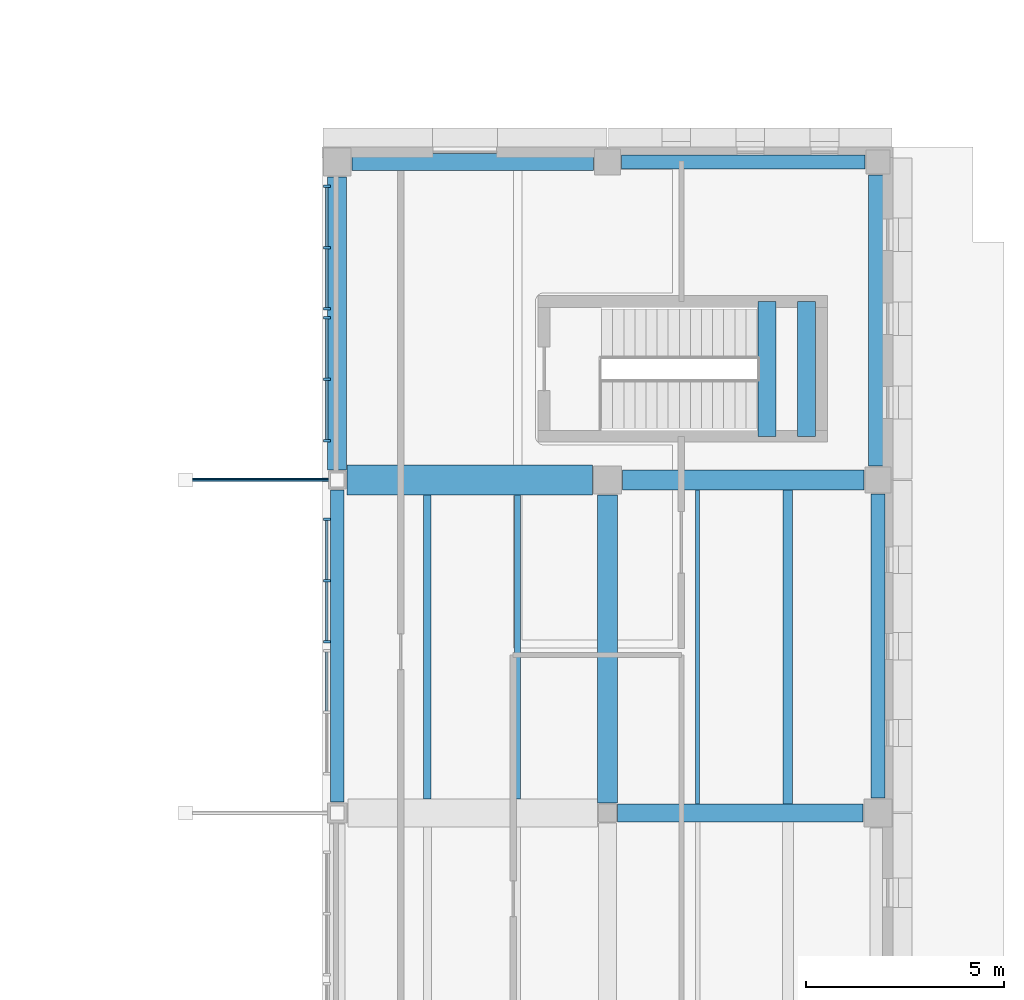
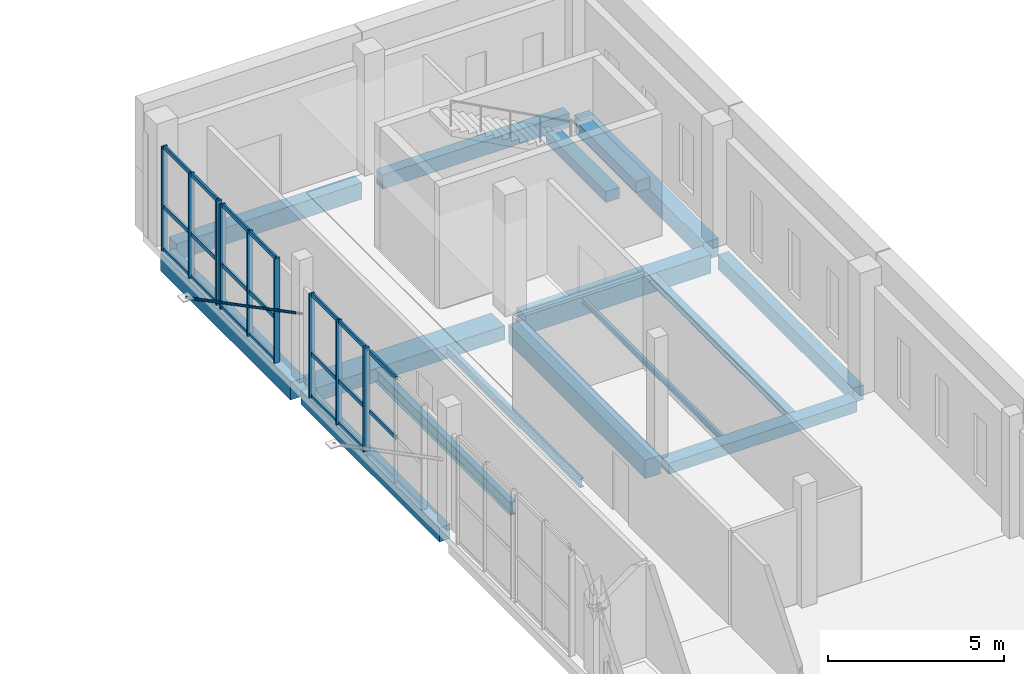
# One storey, part 34 of 77: 30 members, 16 beams, 4 elements without a shape of their own.
"""IFC4 building model written with IfcOpenShell, lengths in metres."""

from ifc_helpers import new_model, si_unit, direction, frame, origin, origin_2d, place, context, subcontext, project, spatial, rectangle, hollow_circle, i_section, extrude, material, layer, layer_set, material_profile, profile_set, type_object, element, aggregate, save


model = new_model("IFC4")

# Units and contexts
model_context = context("Model", 3, precision=1e-05, world=origin(), true_north=direction((0.0, 1.0)))
body_context = subcontext(model_context, "Body", "Model", "MODEL_VIEW")
ifc_project = project(units=[si_unit("LENGTHUNIT", "METRE"), si_unit("AREAUNIT", "SQUARE_METRE"), si_unit("VOLUMEUNIT", "CUBIC_METRE"), si_unit("PLANEANGLEUNIT", "RADIAN"), si_unit("MASSUNIT", "GRAM", prefix="KILO")], contexts=[model_context])

# Site, building, storey
site_placement = place(None, origin())
site = spatial("IfcSite", under=ifc_project, at=site_placement, CompositionType="ELEMENT")
building_placement = place(site_placement, origin())
building = spatial("IfcBuilding", under=site, at=building_placement, Name="Vardoun Plaza Health Centre", CompositionType="ELEMENT")
storey_placement = place(building_placement, origin())
storey = spatial("IfcBuildingStorey", under=building, at=storey_placement, Name="L00", CompositionType="ELEMENT", Elevation=0.0)

# Beams
ifc_material_1 = material(Name="Concrete C35/45", Category="concrete")
ifc_material_profile_1 = material_profile(ifc_material_1, rectangle(XDim=0.35009765625, YDim=0.5, at=origin_2d()), Name="RC-BM 350x500")
ifc_profile_set_1 = profile_set([ifc_material_profile_1], Name="Concrete C35/45")
beam_type_1 = type_object("IfcBeamType", Name="B-08", PredefinedType="SPANDREL", material=ifc_profile_set_1)
beam_1_placement = place(storey_placement, frame((158.449951171875, 86.320068359375, -0.5), z_axis=(1.0, 0.0, 0.0), x_axis=(0.0, 1.0, 0.0)))
element("IfcBeam", 1, at=beam_1_placement, inside=storey, type_object=beam_type_1, Name="V6 L00 Beam B-V6-L00-X14", PredefinedType="SPANDREL", context=body_context, shape_type="SweptSolid", body=[
    extrude(rectangle(XDim=0.35009765625, YDim=0.5, at=origin_2d()), origin(), (0.0, 0.0, 1.0), 6.14501953125),
])
beam_2_placement = place(storey_placement, frame((151.280029296875, 70.175048828125, -0.5), z_axis=(0.0, 1.0, 0.0), x_axis=(-1.0, 0.0, 0.0)))
element("IfcBeam", 2, at=beam_2_placement, inside=storey, type_object=beam_type_1, Name="V6 L00 Beam B-V6-L00-Y19", PredefinedType="SPANDREL", context=body_context, shape_type="SweptSolid", body=[
    extrude(rectangle(XDim=0.35009765625, YDim=0.5, at=origin_2d()), origin(), (0.0, 0.0, 1.0), 7.875),
])
beam_3_placement = place(storey_placement, frame((164.919921875, 70.275146484375, -0.5), z_axis=(0.0, 1.0, 0.0), x_axis=(-1.0, 0.0, 0.0)))
element("IfcBeam", 3, at=beam_3_placement, inside=storey, type_object=beam_type_1, Name="V6 L00 Beam B-V6-L00-Y29", PredefinedType="SPANDREL", context=body_context, shape_type="SweptSolid", body=[
    extrude(rectangle(XDim=0.35009765625, YDim=0.5, at=origin_2d()), origin(), (0.0, 0.0, 1.0), 7.6748046875),
])
ifc_material_2 = material(Name="Concrete C35/45", Category="concrete")
ifc_material_profile_2 = material_profile(ifc_material_2, rectangle(XDim=0.419921875, YDim=0.580078125, at=origin_2d()), Name="RC-BM 420x580")
ifc_profile_set_2 = profile_set([ifc_material_profile_2], Name="Concrete C35/45")
beam_type_2 = type_object("IfcBeamType", Name="B-10", PredefinedType="SPANDREL", material=ifc_profile_set_2)
beam_4_placement = place(storey_placement, frame((151.655029296875, 86.320068359375, -0.5400390625), z_axis=(1.0, 0.0, 0.0), x_axis=(0.0, 1.0, 0.0)))
element("IfcBeam", 4, at=beam_4_placement, inside=storey, type_object=beam_type_2, Name="V6 L00 Beam B-V6-L00-X07", PredefinedType="SPANDREL", context=body_context, shape_type="SweptSolid", body=[
    extrude(rectangle(XDim=0.419921875, YDim=0.580078125, at=origin_2d()), origin(), (0.0, 0.0, 1.0), 6.094970703125),
])
ifc_material_3 = material(Name="Concrete C35/45", Category="concrete")
ifc_material_profile_3 = material_profile(ifc_material_3, rectangle(XDim=0.449951171875, YDim=0.3798828125, at=origin_2d()), Name="RC-BM 450x380")
ifc_profile_set_3 = profile_set([ifc_material_profile_3], Name="Concrete C35/45")
beam_type_3 = type_object("IfcBeamType", Name="B-01", PredefinedType="BEAM", material=ifc_profile_set_3)
beam_5_placement = place(storey_placement, frame((158.35009765625, 69.900146484375, -0.43994140625), z_axis=(1.0, 0.0, 0.0), x_axis=(0.0, 1.0, 0.0)))
element("IfcBeam", 5, at=beam_5_placement, inside=storey, type_object=beam_type_3, Name="V6 L00 Beam B-V6-L00-X12", PredefinedType="BEAM", context=body_context, shape_type="SweptSolid", body=[
    extrude(rectangle(XDim=0.449951171875, YDim=0.3798828125, at=origin_2d()), origin(), (0.0, 0.0, 1.0), 6.19482421875),
])
for number, where, z_axis, x_axis, name in (
    (6, (162.1201171875, 79.400146484375, 1.860107421875), (0.0, 1.0, 0.0), (-1.0, 0.0, 0.0), "Stair ST-C11-L00 Landing Beam 1"),
    (7, (163.1201171875, 79.400146484375, 1.860107421875), (0.0, 1.0, 0.0), (-1.0, 0.0, 0.0), "Stair ST-C11-L00 Landing Beam 2"),
):
    element("IfcBeam", number, at=place(storey_placement, frame(where, z_axis=z_axis, x_axis=x_axis)), inside=storey, type_object=beam_type_3, Name=name, PredefinedType="BEAM", context=body_context, shape_type="SweptSolid", body=[
        extrude(rectangle(XDim=0.449951171875, YDim=0.3798828125, at=origin_2d()), origin(), (0.0, 0.0, 1.0), 3.39990234375),
    ])
ifc_material_4 = material(Name="Concrete C35/45", Category="concrete")
ifc_material_profile_4 = material_profile(ifc_material_4, rectangle(XDim=0.47998046875, YDim=0.6201171875, at=origin_2d()), Name="RC-BM 480x620")
ifc_profile_set_4 = profile_set([ifc_material_profile_4], Name="Concrete C35/45")
beam_type_4 = type_object("IfcBeamType", Name="B-12", PredefinedType="SPANDREL", material=ifc_profile_set_4)
beam_6_placement = place(storey_placement, frame((151.280029296875, 78.550048828125, -0.56005859375), z_axis=(0.0, 1.0, 0.0), x_axis=(-1.0, 0.0, 0.0)))
element("IfcBeam", 8, at=beam_6_placement, inside=storey, type_object=beam_type_4, Name="V6 L00 Beam B-V6-L00-Y20", PredefinedType="SPANDREL", context=body_context, shape_type="SweptSolid", body=[
    extrude(rectangle(XDim=0.47998046875, YDim=0.6201171875, at=origin_2d()), origin(), (0.0, 0.0, 1.0), 7.39501953125),
])
beam_7_placement = place(storey_placement, frame((164.919921875, 78.650146484375, -0.56005859375), z_axis=(0.0, 1.0, 0.0), x_axis=(-1.0, 0.0, 0.0)))
element("IfcBeam", 9, at=beam_7_placement, inside=storey, type_object=beam_type_4, Name="V6 L00 Beam B-V6-L00-Y30", PredefinedType="SPANDREL", context=body_context, shape_type="SweptSolid", body=[
    extrude(rectangle(XDim=0.47998046875, YDim=0.6201171875, at=origin_2d()), origin(), (0.0, 0.0, 1.0), 7.344970703125),
])
ifc_material_5 = material(Name="Concrete C40/50", Category="concrete")
ifc_material_profile_5 = material_profile(ifc_material_5, rectangle(XDim=0.5, YDim=0.64990234375, at=origin_2d()), Name="RC-BM 500x650")
ifc_profile_set_5 = profile_set([ifc_material_profile_5], Name="Concrete C40/50")
beam_type_5 = type_object("IfcBeamType", Name="B-13", PredefinedType="BEAM", material=ifc_profile_set_5)
beam_8_placement = place(storey_placement, frame((158.47509765625, 78.300048828125, -0.574951171875), z_axis=(1.0, 0.0, 0.0), x_axis=(0.0, 1.0, 0.0)))
element("IfcBeam", 10, at=beam_8_placement, inside=storey, type_object=beam_type_5, Name="V6 L00 Beam B-V6-L00-X13", PredefinedType="BEAM", context=body_context, shape_type="SweptSolid", body=[
    extrude(rectangle(XDim=0.5, YDim=0.64990234375, at=origin_2d()), origin(), (0.0, 0.0, 1.0), 6.094970703125),
])
beam_9_placement = place(storey_placement, frame((158.10009765625, 70.150146484375, -0.574951171875), z_axis=(0.0, 1.0, 0.0), x_axis=(-1.0, 0.0, 0.0)))
element("IfcBeam", 11, at=beam_9_placement, inside=storey, type_object=beam_type_5, Name="V6 L00 Beam B-V6-L00-Y24", PredefinedType="BEAM", context=body_context, shape_type="SweptSolid", body=[
    extrude(rectangle(XDim=0.5, YDim=0.64990234375, at=origin_2d()), origin(), (0.0, 0.0, 1.0), 7.77490234375),
])
ifc_material_6 = material(Name="Concrete C35/45", Category="concrete")
ifc_material_profile_6 = material_profile(ifc_material_6, rectangle(XDim=0.75, YDim=0.47998046875, at=origin_2d()), Name="RC-BM 750x480")
ifc_profile_set_6 = profile_set([ifc_material_profile_6], Name="Concrete C35/45")
beam_type_6 = type_object("IfcBeamType", Name="B-07", PredefinedType="BEAM", material=ifc_profile_set_6)
beam_10_placement = place(storey_placement, frame((151.530029296875, 78.300048828125, -0.489990234375), z_axis=(1.0, 0.0, 0.0), x_axis=(0.0, 1.0, 0.0)))
element("IfcBeam", 12, at=beam_10_placement, inside=storey, type_object=beam_type_6, Name="V6 L00 Beam B-V6-L00-X06", PredefinedType="BEAM", context=body_context, shape_type="SweptSolid", body=[
    extrude(rectangle(XDim=0.75, YDim=0.47998046875, at=origin_2d()), origin(), (0.0, 0.0, 1.0), 6.195068359375),
])
ifc_material_7 = material(Name="Steel S355J2", Category="steel")
ifc_material_profile_7 = material_profile(ifc_material_7, i_section(OverallWidth=0.239990234375, OverallDepth=0.22998046875, WebThickness=0.007568359375, FlangeThickness=0.011962890625, FilletRadius=0.02099609375, at=origin_2d()), Name="HEA 240")
ifc_profile_set_7 = profile_set([ifc_material_profile_7], Name="Steel S355J2")
beam_type_7 = type_object("IfcBeamType", Name="SB-07", PredefinedType="BEAM", material=ifc_profile_set_7)
beam_11_placement = place(storey_placement, frame((162.64697265625, 70.125, -0.364990234375), z_axis=(0.0, 1.0, 0.0), x_axis=(-1.0, 0.0, 0.0)))
element("IfcBeam", 13, at=beam_11_placement, inside=storey, type_object=beam_type_7, Name="V6 L00 Secondary Floor Beam SJ-V6-L00-16", PredefinedType="BEAM", context=body_context, shape_type="SweptSolid", body=[
    extrude(i_section(OverallWidth=0.239990234375, OverallDepth=0.22998046875, WebThickness=0.007568359375, FlangeThickness=0.011962890625, FilletRadius=0.02099609375, at=origin_2d()), origin(), (0.0, 0.0, 1.0), 7.925048828125),
])
ifc_material_8 = material(Name="Steel S355J2", Category="steel")
ifc_material_profile_8 = material_profile(ifc_material_8, i_section(OverallWidth=0.10009765625, OverallDepth=0.199951171875, WebThickness=0.005615234375, FlangeThickness=0.008544921875, FilletRadius=0.011962890625, at=origin_2d()), Name="IPE 200")
ifc_profile_set_8 = profile_set([ifc_material_profile_8], Name="Steel S355J2")
beam_type_8 = type_object("IfcBeamType", Name="SB-19", PredefinedType="SPANDREL", material=ifc_profile_set_8)
beam_12_placement = place(storey_placement, frame((160.373046875, 70.125, -0.35009765625), z_axis=(0.0, 1.0, 0.0), x_axis=(-1.0, 0.0, 0.0)))
element("IfcBeam", 14, at=beam_12_placement, inside=storey, type_object=beam_type_8, Name="V6 L00 Secondary Floor Beam SJ-V6-L00-12", PredefinedType="SPANDREL", context=body_context, shape_type="SweptSolid", body=[
    extrude(i_section(OverallWidth=0.10009765625, OverallDepth=0.199951171875, WebThickness=0.005615234375, FlangeThickness=0.008544921875, FilletRadius=0.011962890625, at=origin_2d()), origin(), (0.0, 0.0, 1.0), 7.925048828125),
])
ifc_material_9 = material(Name="Steel S355J2", Category="steel")
ifc_material_profile_9 = material_profile(ifc_material_9, i_section(OverallWidth=0.14990234375, OverallDepth=0.300048828125, WebThickness=0.007080078125, FlangeThickness=0.0107421875, FilletRadius=0.014892578125, at=origin_2d()), Name="IPE 300")
ifc_profile_set_9 = profile_set([ifc_material_profile_9], Name="Steel S355J2")
beam_type_9 = type_object("IfcBeamType", Name="SB-15", PredefinedType="JOIST", material=ifc_profile_set_9)
beam_13_placement = place(storey_placement, frame((155.826904296875, 70.25, -0.39990234375), z_axis=(0.0, 1.0, 0.0), x_axis=(-1.0, 0.0, 0.0)))
element("IfcBeam", 15, at=beam_13_placement, inside=storey, type_object=beam_type_9, Name="V6 L00 Secondary Floor Beam SJ-V6-L00-08", PredefinedType="JOIST", context=body_context, shape_type="SweptSolid", body=[
    extrude(i_section(OverallWidth=0.14990234375, OverallDepth=0.300048828125, WebThickness=0.007080078125, FlangeThickness=0.0107421875, FilletRadius=0.014892578125, at=origin_2d()), origin(), (0.0, 0.0, 1.0), 7.675048828125),
])
ifc_material_10 = material(Name="Steel S355J2", Category="steel")
ifc_material_profile_10 = material_profile(ifc_material_10, i_section(OverallWidth=0.18994140625, OverallDepth=0.449951171875, WebThickness=0.009521484375, FlangeThickness=0.0146484375, FilletRadius=0.02099609375, at=origin_2d()), Name="IPE 450")
ifc_profile_set_10 = profile_set([ifc_material_profile_10], Name="Steel S355J2")
beam_type_10 = type_object("IfcBeamType", Name="SB-11", PredefinedType="BEAM", material=ifc_profile_set_10)
beam_14_placement = place(storey_placement, frame((153.552978515625, 70.25, -0.47509765625), z_axis=(0.0, 1.0, 0.0), x_axis=(-1.0, 0.0, 0.0)))
element("IfcBeam", 16, at=beam_14_placement, inside=storey, type_object=beam_type_10, Name="V6 L00 Secondary Floor Beam SJ-V6-L00-04", PredefinedType="BEAM", context=body_context, shape_type="SweptSolid", body=[
    extrude(i_section(OverallWidth=0.18994140625, OverallDepth=0.449951171875, WebThickness=0.009521484375, FlangeThickness=0.0146484375, FilletRadius=0.02099609375, at=origin_2d()), origin(), (0.0, 0.0, 1.0), 7.675048828125),
])

# Curtain wall, members
ifc_material_11 = material(Name="Aluminium Alloy EN AW-6063-T6 and Low-E Glass", Category="aluminium")
ifc_layer = layer(ifc_material_11, 0.179931640625)
ifc_layer_set = layer_set([ifc_layer], Name="Aluminium Alloy EN AW-6063-T6 and Low-E Glass")
curtain_wall_type = type_object("IfcCurtainWallType", Name="CW-01", PredefinedType="USERDEFINED", material=ifc_layer_set)
curtain_wall_1_placement = place(storey_placement, origin())
curtain_wall_1 = element("IfcCurtainWall", 17, at=curtain_wall_1_placement, inside=storey, type_object=curtain_wall_type, Name="Curtain Wall CW-V6-200", ObjectType="CONCOURSE_CURTAIN_WALL", PredefinedType="USERDEFINED")
ifc_material_12 = material(Name="Aluminium Alloy EN AW-6063-T6", Category="aluminium")
ifc_material_profile_11 = material_profile(ifc_material_12, rectangle(XDim=0.179931640625, YDim=0.06494140625, at=origin_2d()), Name="CWM 65x180")
ifc_profile_set_11 = profile_set([ifc_material_profile_11], Name="Aluminium Alloy EN AW-6063-T6")
member_type_1 = type_object("IfcMemberType", Name="CW-M2", PredefinedType="MULLION", material=ifc_profile_set_11)
member_1_placement = place(storey_placement, frame((151.02001953125, 74.212646484375, 0.0), z_axis=(0.0, 0.0, 1.0), x_axis=(-1.0, 0.0, 0.0)))
member_1 = element("IfcMember", 18, at=member_1_placement, type_object=member_type_1, Name="CW-V6-200 mullion 1", PredefinedType="MULLION", context=body_context, shape_type="SweptSolid", body=[
    extrude(rectangle(XDim=0.179931640625, YDim=0.06494140625, at=origin_2d()), origin(), (0.0, 0.0, 1.0), 3.614990234375),
])
member_2_placement = place(storey_placement, frame((151.02001953125, 75.760009765625, 0.0), z_axis=(0.0, 0.0, 1.0), x_axis=(-1.0, 0.0, 0.0)))
member_2 = element("IfcMember", 19, at=member_2_placement, type_object=member_type_1, Name="CW-V6-200 mullion 2", PredefinedType="MULLION", context=body_context, shape_type="SweptSolid", body=[
    extrude(rectangle(XDim=0.179931640625, YDim=0.06494140625, at=origin_2d()), origin(), (0.0, 0.0, 1.0), 3.614990234375),
])
member_3_placement = place(storey_placement, frame((151.02001953125, 77.3076171875, 0.0), z_axis=(0.0, 0.0, 1.0), x_axis=(-1.0, 0.0, 0.0)))
member_3 = element("IfcMember", 20, at=member_3_placement, type_object=member_type_1, Name="CW-V6-200 mullion 3", PredefinedType="MULLION", context=body_context, shape_type="SweptSolid", body=[
    extrude(rectangle(XDim=0.179931640625, YDim=0.06494140625, at=origin_2d()), origin(), (0.0, 0.0, 1.0), 3.614990234375),
])

curtain_wall_2_placement = place(storey_placement, origin())
curtain_wall_2 = element("IfcCurtainWall", 21, at=curtain_wall_2_placement, inside=storey, type_object=curtain_wall_type, Name="Curtain Wall CW-V6-201", ObjectType="CONCOURSE_CURTAIN_WALL", PredefinedType="USERDEFINED")
member_4_placement = place(storey_placement, frame((151.02001953125, 79.29248046875, 0.0), z_axis=(0.0, 0.0, 1.0), x_axis=(-1.0, 0.0, 0.0)))
member_4 = element("IfcMember", 22, at=member_4_placement, type_object=member_type_1, Name="CW-V6-201 mullion 1", PredefinedType="MULLION", context=body_context, shape_type="SweptSolid", body=[
    extrude(rectangle(XDim=0.179931640625, YDim=0.06494140625, at=origin_2d()), origin(), (0.0, 0.0, 1.0), 3.635009765625),
])
member_5_placement = place(storey_placement, frame((151.02001953125, 80.840087890625, 0.0), z_axis=(0.0, 0.0, 1.0), x_axis=(-1.0, 0.0, 0.0)))
member_5 = element("IfcMember", 23, at=member_5_placement, type_object=member_type_1, Name="CW-V6-201 mullion 2", PredefinedType="MULLION", context=body_context, shape_type="SweptSolid", body=[
    extrude(rectangle(XDim=0.179931640625, YDim=0.06494140625, at=origin_2d()), origin(), (0.0, 0.0, 1.0), 3.635009765625),
])
member_6_placement = place(storey_placement, frame((151.02001953125, 82.387451171875, 0.0), z_axis=(0.0, 0.0, 1.0), x_axis=(-1.0, 0.0, 0.0)))
member_6 = element("IfcMember", 24, at=member_6_placement, type_object=member_type_1, Name="CW-V6-201 mullion 3", PredefinedType="MULLION", context=body_context, shape_type="SweptSolid", body=[
    extrude(rectangle(XDim=0.179931640625, YDim=0.06494140625, at=origin_2d()), origin(), (0.0, 0.0, 1.0), 3.635009765625),
])

curtain_wall_3_placement = place(storey_placement, origin())
curtain_wall_3 = element("IfcCurtainWall", 25, at=curtain_wall_3_placement, inside=storey, type_object=curtain_wall_type, Name="Curtain Wall CW-V6-202", ObjectType="CONCOURSE_CURTAIN_WALL", PredefinedType="USERDEFINED")
member_7_placement = place(storey_placement, frame((151.02001953125, 82.612548828125, 0.0), z_axis=(0.0, 0.0, 1.0), x_axis=(-1.0, 0.0, 0.0)))
member_7 = element("IfcMember", 26, at=member_7_placement, type_object=member_type_1, Name="CW-V6-202 mullion 1", PredefinedType="MULLION", context=body_context, shape_type="SweptSolid", body=[
    extrude(rectangle(XDim=0.179931640625, YDim=0.06494140625, at=origin_2d()), origin(), (0.0, 0.0, 1.0), 3.635009765625),
])
member_8_placement = place(storey_placement, frame((151.02001953125, 84.159912109375, 0.0), z_axis=(0.0, 0.0, 1.0), x_axis=(-1.0, 0.0, 0.0)))
member_8 = element("IfcMember", 27, at=member_8_placement, type_object=member_type_1, Name="CW-V6-202 mullion 2", PredefinedType="MULLION", context=body_context, shape_type="SweptSolid", body=[
    extrude(rectangle(XDim=0.179931640625, YDim=0.06494140625, at=origin_2d()), origin(), (0.0, 0.0, 1.0), 3.635009765625),
])
member_9_placement = place(storey_placement, frame((151.02001953125, 85.70751953125, 0.0), z_axis=(0.0, 0.0, 1.0), x_axis=(-1.0, 0.0, 0.0)))
member_9 = element("IfcMember", 28, at=member_9_placement, type_object=member_type_1, Name="CW-V6-202 mullion 3", PredefinedType="MULLION", context=body_context, shape_type="SweptSolid", body=[
    extrude(rectangle(XDim=0.179931640625, YDim=0.06494140625, at=origin_2d()), origin(), (0.0, 0.0, 1.0), 3.635009765625),
])

curtain_wall_4_placement = place(storey_placement, origin())
curtain_wall_4 = element("IfcCurtainWall", 29, at=curtain_wall_4_placement, inside=storey, type_object=curtain_wall_type, Name="Curtain Wall CW-V6-199", ObjectType="CONCOURSE_CURTAIN_WALL", PredefinedType="USERDEFINED")
ifc_material_13 = material(Name="Aluminium Alloy EN AW-6063-T6", Category="aluminium")
ifc_material_profile_12 = material_profile(ifc_material_13, rectangle(XDim=0.06494140625, YDim=0.139892578125, at=origin_2d()), Name="CWT 65x140")
ifc_profile_set_12 = profile_set([ifc_material_profile_12], Name="Aluminium Alloy EN AW-6063-T6")
member_type_2 = type_object("IfcMemberType", Name="CW-T2", PredefinedType="USERDEFINED", material=ifc_profile_set_12)
member_10_placement = place(storey_placement, frame((151.02001953125, 72.472412109375, 1.518310546875), z_axis=(0.0, 1.0, 0.0), x_axis=(-1.0, 0.0, 0.0)))
member_10 = element("IfcMember", 30, at=member_10_placement, type_object=member_type_2, Name="CW-V6-199 transom 2.2", ObjectType="TRANSOM", PredefinedType="USERDEFINED", context=body_context, shape_type="SweptSolid", body=[
    extrude(rectangle(XDim=0.06494140625, YDim=0.139892578125, at=origin_2d()), origin(), (0.0, 0.0, 1.0), 1.482666015625),
])
member_11_placement = place(storey_placement, frame((151.02001953125, 72.472412109375, 3.58251953125), z_axis=(0.0, 1.0, 0.0), x_axis=(-1.0, 0.0, 0.0)))
member_11 = element("IfcMember", 31, at=member_11_placement, type_object=member_type_2, Name="CW-V6-199 transom 2.3", ObjectType="TRANSOM", PredefinedType="USERDEFINED", context=body_context, shape_type="SweptSolid", body=[
    extrude(rectangle(XDim=0.06494140625, YDim=0.139892578125, at=origin_2d()), origin(), (0.0, 0.0, 1.0), 1.482666015625),
])
aggregate(curtain_wall_4, [member_10, member_11])

# Member
member_12_placement = place(storey_placement, frame((151.02001953125, 74.2451171875, 0.032470703125), z_axis=(0.0, 1.0, 0.0), x_axis=(-1.0, 0.0, 0.0)))
member_12 = element("IfcMember", 32, at=member_12_placement, type_object=member_type_2, Name="CW-V6-200 transom 1.1", ObjectType="TRANSOM", PredefinedType="USERDEFINED", context=body_context, shape_type="SweptSolid", body=[
    extrude(rectangle(XDim=0.06494140625, YDim=0.139892578125, at=origin_2d()), origin(), (0.0, 0.0, 1.0), 1.482421875),
])

member_13_placement = place(storey_placement, frame((151.02001953125, 74.2451171875, 1.518310546875), z_axis=(0.0, 1.0, 0.0), x_axis=(-1.0, 0.0, 0.0)))
member_13 = element("IfcMember", 33, at=member_13_placement, type_object=member_type_2, Name="CW-V6-200 transom 1.2", ObjectType="TRANSOM", PredefinedType="USERDEFINED", context=body_context, shape_type="SweptSolid", body=[
    extrude(rectangle(XDim=0.06494140625, YDim=0.139892578125, at=origin_2d()), origin(), (0.0, 0.0, 1.0), 1.482421875),
])

member_14_placement = place(storey_placement, frame((151.02001953125, 74.2451171875, 3.58251953125), z_axis=(0.0, 1.0, 0.0), x_axis=(-1.0, 0.0, 0.0)))
member_14 = element("IfcMember", 34, at=member_14_placement, type_object=member_type_2, Name="CW-V6-200 transom 1.3", ObjectType="TRANSOM", PredefinedType="USERDEFINED", context=body_context, shape_type="SweptSolid", body=[
    extrude(rectangle(XDim=0.06494140625, YDim=0.139892578125, at=origin_2d()), origin(), (0.0, 0.0, 1.0), 1.482421875),
])

member_15_placement = place(storey_placement, frame((151.02001953125, 75.79248046875, 0.032470703125), z_axis=(0.0, 1.0, 0.0), x_axis=(-1.0, 0.0, 0.0)))
member_15 = element("IfcMember", 35, at=member_15_placement, type_object=member_type_2, Name="CW-V6-200 transom 2.1", ObjectType="TRANSOM", PredefinedType="USERDEFINED", context=body_context, shape_type="SweptSolid", body=[
    extrude(rectangle(XDim=0.06494140625, YDim=0.139892578125, at=origin_2d()), origin(), (0.0, 0.0, 1.0), 1.482666015625),
])

member_16_placement = place(storey_placement, frame((151.02001953125, 75.79248046875, 1.518310546875), z_axis=(0.0, 1.0, 0.0), x_axis=(-1.0, 0.0, 0.0)))
member_16 = element("IfcMember", 36, at=member_16_placement, type_object=member_type_2, Name="CW-V6-200 transom 2.2", ObjectType="TRANSOM", PredefinedType="USERDEFINED", context=body_context, shape_type="SweptSolid", body=[
    extrude(rectangle(XDim=0.06494140625, YDim=0.139892578125, at=origin_2d()), origin(), (0.0, 0.0, 1.0), 1.482666015625),
])

member_17_placement = place(storey_placement, frame((151.02001953125, 75.79248046875, 3.58251953125), z_axis=(0.0, 1.0, 0.0), x_axis=(-1.0, 0.0, 0.0)))
member_17 = element("IfcMember", 37, at=member_17_placement, type_object=member_type_2, Name="CW-V6-200 transom 2.3", ObjectType="TRANSOM", PredefinedType="USERDEFINED", context=body_context, shape_type="SweptSolid", body=[
    extrude(rectangle(XDim=0.06494140625, YDim=0.139892578125, at=origin_2d()), origin(), (0.0, 0.0, 1.0), 1.482666015625),
])

aggregate(curtain_wall_1, [member_1, member_2, member_3, member_12, member_13, member_14, member_15, member_16, member_17])

member_18_placement = place(storey_placement, frame((151.02001953125, 79.324951171875, 0.032470703125), z_axis=(0.0, 1.0, 0.0), x_axis=(-1.0, 0.0, 0.0)))
member_18 = element("IfcMember", 38, at=member_18_placement, type_object=member_type_2, Name="CW-V6-201 transom 1.1", ObjectType="TRANSOM", PredefinedType="USERDEFINED", context=body_context, shape_type="SweptSolid", body=[
    extrude(rectangle(XDim=0.06494140625, YDim=0.139892578125, at=origin_2d()), origin(), (0.0, 0.0, 1.0), 1.482666015625),
])

member_19_placement = place(storey_placement, frame((151.02001953125, 79.324951171875, 1.526611328125), z_axis=(0.0, 1.0, 0.0), x_axis=(-1.0, 0.0, 0.0)))
member_19 = element("IfcMember", 39, at=member_19_placement, type_object=member_type_2, Name="CW-V6-201 transom 1.2", ObjectType="TRANSOM", PredefinedType="USERDEFINED", context=body_context, shape_type="SweptSolid", body=[
    extrude(rectangle(XDim=0.06494140625, YDim=0.139892578125, at=origin_2d()), origin(), (0.0, 0.0, 1.0), 1.482666015625),
])

member_20_placement = place(storey_placement, frame((151.02001953125, 79.324951171875, 3.6025390625), z_axis=(0.0, 1.0, 0.0), x_axis=(-1.0, 0.0, 0.0)))
member_20 = element("IfcMember", 40, at=member_20_placement, type_object=member_type_2, Name="CW-V6-201 transom 1.3", ObjectType="TRANSOM", PredefinedType="USERDEFINED", context=body_context, shape_type="SweptSolid", body=[
    extrude(rectangle(XDim=0.06494140625, YDim=0.139892578125, at=origin_2d()), origin(), (0.0, 0.0, 1.0), 1.482666015625),
])

member_21_placement = place(storey_placement, frame((151.02001953125, 80.87255859375, 0.032470703125), z_axis=(0.0, 1.0, 0.0), x_axis=(-1.0, 0.0, 0.0)))
member_21 = element("IfcMember", 41, at=member_21_placement, type_object=member_type_2, Name="CW-V6-201 transom 2.1", ObjectType="TRANSOM", PredefinedType="USERDEFINED", context=body_context, shape_type="SweptSolid", body=[
    extrude(rectangle(XDim=0.06494140625, YDim=0.139892578125, at=origin_2d()), origin(), (0.0, 0.0, 1.0), 1.482421875),
])

member_22_placement = place(storey_placement, frame((151.02001953125, 80.87255859375, 1.526611328125), z_axis=(0.0, 1.0, 0.0), x_axis=(-1.0, 0.0, 0.0)))
member_22 = element("IfcMember", 42, at=member_22_placement, type_object=member_type_2, Name="CW-V6-201 transom 2.2", ObjectType="TRANSOM", PredefinedType="USERDEFINED", context=body_context, shape_type="SweptSolid", body=[
    extrude(rectangle(XDim=0.06494140625, YDim=0.139892578125, at=origin_2d()), origin(), (0.0, 0.0, 1.0), 1.482421875),
])

member_23_placement = place(storey_placement, frame((151.02001953125, 80.87255859375, 3.6025390625), z_axis=(0.0, 1.0, 0.0), x_axis=(-1.0, 0.0, 0.0)))
member_23 = element("IfcMember", 43, at=member_23_placement, type_object=member_type_2, Name="CW-V6-201 transom 2.3", ObjectType="TRANSOM", PredefinedType="USERDEFINED", context=body_context, shape_type="SweptSolid", body=[
    extrude(rectangle(XDim=0.06494140625, YDim=0.139892578125, at=origin_2d()), origin(), (0.0, 0.0, 1.0), 1.482421875),
])

aggregate(curtain_wall_2, [member_4, member_5, member_6, member_18, member_19, member_20, member_21, member_22, member_23])

member_24_placement = place(storey_placement, frame((151.02001953125, 82.64501953125, 0.032470703125), z_axis=(0.0, 1.0, 0.0), x_axis=(-1.0, 0.0, 0.0)))
member_24 = element("IfcMember", 44, at=member_24_placement, type_object=member_type_2, Name="CW-V6-202 transom 1.1", ObjectType="TRANSOM", PredefinedType="USERDEFINED", context=body_context, shape_type="SweptSolid", body=[
    extrude(rectangle(XDim=0.06494140625, YDim=0.139892578125, at=origin_2d()), origin(), (0.0, 0.0, 1.0), 1.482666015625),
])

member_25_placement = place(storey_placement, frame((151.02001953125, 82.64501953125, 1.526611328125), z_axis=(0.0, 1.0, 0.0), x_axis=(-1.0, 0.0, 0.0)))
member_25 = element("IfcMember", 45, at=member_25_placement, type_object=member_type_2, Name="CW-V6-202 transom 1.2", ObjectType="TRANSOM", PredefinedType="USERDEFINED", context=body_context, shape_type="SweptSolid", body=[
    extrude(rectangle(XDim=0.06494140625, YDim=0.139892578125, at=origin_2d()), origin(), (0.0, 0.0, 1.0), 1.482666015625),
])

member_26_placement = place(storey_placement, frame((151.02001953125, 82.64501953125, 3.6025390625), z_axis=(0.0, 1.0, 0.0), x_axis=(-1.0, 0.0, 0.0)))
member_26 = element("IfcMember", 46, at=member_26_placement, type_object=member_type_2, Name="CW-V6-202 transom 1.3", ObjectType="TRANSOM", PredefinedType="USERDEFINED", context=body_context, shape_type="SweptSolid", body=[
    extrude(rectangle(XDim=0.06494140625, YDim=0.139892578125, at=origin_2d()), origin(), (0.0, 0.0, 1.0), 1.482666015625),
])

member_27_placement = place(storey_placement, frame((151.02001953125, 84.1923828125, 0.032470703125), z_axis=(0.0, 1.0, 0.0), x_axis=(-1.0, 0.0, 0.0)))
member_27 = element("IfcMember", 47, at=member_27_placement, type_object=member_type_2, Name="CW-V6-202 transom 2.1", ObjectType="TRANSOM", PredefinedType="USERDEFINED", context=body_context, shape_type="SweptSolid", body=[
    extrude(rectangle(XDim=0.06494140625, YDim=0.139892578125, at=origin_2d()), origin(), (0.0, 0.0, 1.0), 1.482666015625),
])

member_28_placement = place(storey_placement, frame((151.02001953125, 84.1923828125, 1.526611328125), z_axis=(0.0, 1.0, 0.0), x_axis=(-1.0, 0.0, 0.0)))
member_28 = element("IfcMember", 48, at=member_28_placement, type_object=member_type_2, Name="CW-V6-202 transom 2.2", ObjectType="TRANSOM", PredefinedType="USERDEFINED", context=body_context, shape_type="SweptSolid", body=[
    extrude(rectangle(XDim=0.06494140625, YDim=0.139892578125, at=origin_2d()), origin(), (0.0, 0.0, 1.0), 1.482666015625),
])

member_29_placement = place(storey_placement, frame((151.02001953125, 84.1923828125, 3.6025390625), z_axis=(0.0, 1.0, 0.0), x_axis=(-1.0, 0.0, 0.0)))
member_29 = element("IfcMember", 49, at=member_29_placement, type_object=member_type_2, Name="CW-V6-202 transom 2.3", ObjectType="TRANSOM", PredefinedType="USERDEFINED", context=body_context, shape_type="SweptSolid", body=[
    extrude(rectangle(XDim=0.06494140625, YDim=0.139892578125, at=origin_2d()), origin(), (0.0, 0.0, 1.0), 1.482666015625),
])

aggregate(curtain_wall_3, [member_7, member_8, member_9, member_24, member_25, member_26, member_27, member_28, member_29])

ifc_material_14 = material(Name="Steel S355J2H", Category="steel")
ifc_material_profile_13 = material_profile(ifc_material_14, hollow_circle(Radius=0.04443359375, WallThickness=0.0048828125, at=origin_2d()), Name="CHS 88.9x5.0")
ifc_profile_set_13 = profile_set([ifc_material_profile_13], Name="Steel S355J2H")
member_type_3 = type_object("IfcMemberType", Name="CS-05", PredefinedType="STRUT", material=ifc_profile_set_13)
member_30_placement = place(storey_placement, frame((151.280029296875, 78.300048828125, 2.199951171875), z_axis=(-0.895816138957, 0.0, 0.444424847623), x_axis=(0.0, -1.0, 0.0)))
element("IfcMember", 50, at=member_30_placement, inside=storey, type_object=member_type_3, Name="Forecourt Canopy Raking Steel Strut 5", PredefinedType="STRUT", context=body_context, shape_type="SweptSolid", body=[
    extrude(hollow_circle(Radius=0.04443359375, WallThickness=0.0048828125, at=origin_2d()), origin(), (0.0, 0.0, 1.0), 4.275634765625),
])

save(model, "model.ifc")
